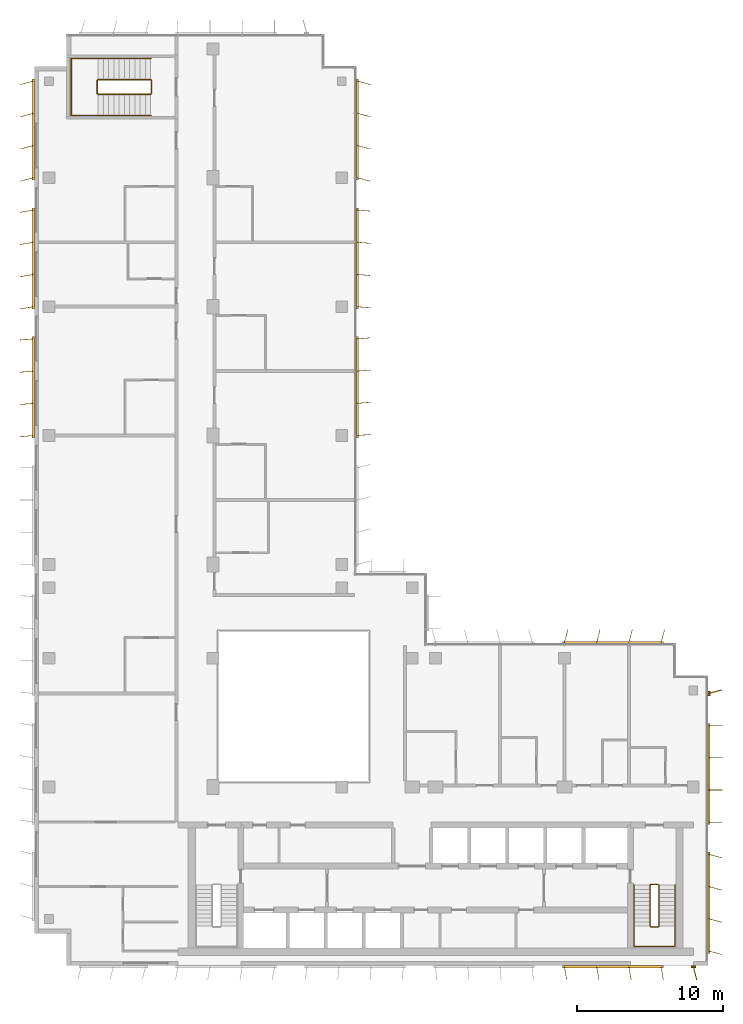
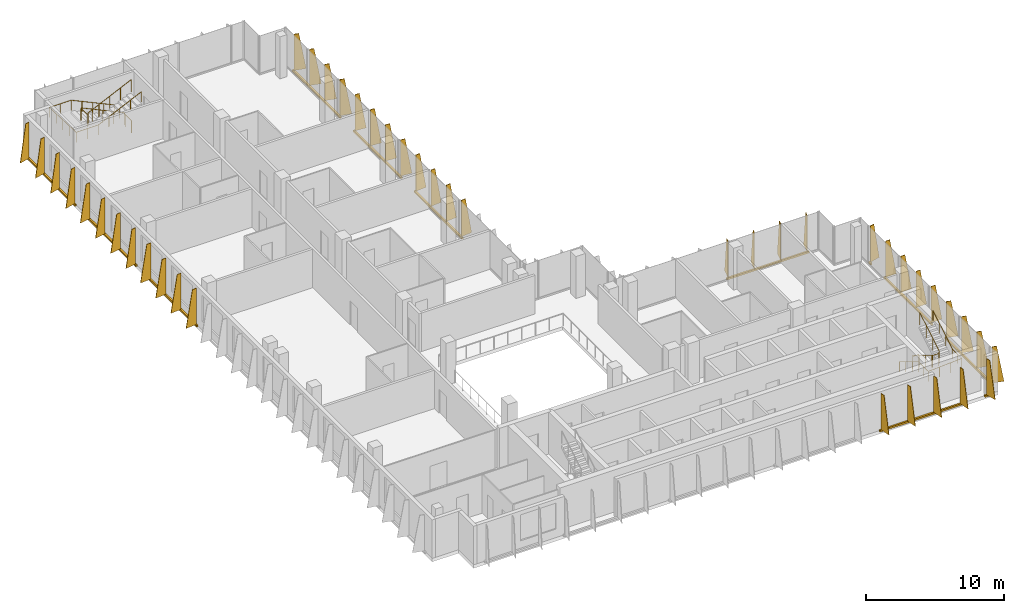
# One storey, part 14 of 15: 12 shading devices, 4 railings.
"""IFC4 building model written with IfcOpenShell, lengths in metres."""

from ifc_helpers import new_model, si_unit, direction, frame, origin, origin_2d, place, context, subcontext, project, spatial, polyline, rectangle, circle, outline, extrude, source, transform, mapped, material, layer, layer_set, type_object, element, save


model = new_model("IFC4")

# Units and contexts
model_context = context("Model", 3, precision=1e-05, world=origin(), true_north=direction((0.0, 1.0)))
body_context = subcontext(model_context, "Body", "Model", "MODEL_VIEW")
ifc_project = project(units=[si_unit("LENGTHUNIT", "METRE"), si_unit("AREAUNIT", "SQUARE_METRE"), si_unit("VOLUMEUNIT", "CUBIC_METRE"), si_unit("PLANEANGLEUNIT", "RADIAN"), si_unit("MASSUNIT", "GRAM", prefix="KILO")], contexts=[model_context])

# Site, building, storey
site_placement = place(None, origin())
site = spatial("IfcSite", under=ifc_project, at=site_placement, CompositionType="ELEMENT")
building_placement = place(site_placement, origin())
building = spatial("IfcBuilding", under=site, at=building_placement, Name="Kemantara Hotel Tower", CompositionType="ELEMENT")
storey_placement = place(building_placement, frame((0.0, 0.0, 290.699951171875)))
storey = spatial("IfcBuildingStorey", under=building, at=storey_placement, Name="L73", CompositionType="ELEMENT", Elevation=290.699951171875)

# Railings
ifc_material_1 = material(Name="Stainless steel balustrade", Category="steel")
railing_type_1 = type_object("IfcRailingType", Name="Stair guard 1100 mm", PredefinedType="GUARDRAIL", material=ifc_material_1)
railing_1_placement = place(storey_placement, frame((42.64990234375, 5.5, 3.699951171875)))
element("IfcRailing", 1, at=railing_1_placement, inside=storey, type_object=railing_type_1, Name="L73 ST2 stair guard 1", PredefinedType="GUARDRAIL", context=body_context, shape_type="SweptSolid", body=[
    extrude(circle(Radius=0.02392578125, at=origin_2d()), frame((0.0, 0.0, 1.076171875), z_axis=(0.0, -0.857275202839, -0.514858452973), x_axis=(1.0, 0.0, 0.0)), (0.0, 0.0, 1.0), 3.26611328125),
    extrude(circle(Radius=0.02392578125, at=origin_2d()), frame((0.0, -2.800048828125, -0.60546875), z_axis=(-0.273006030465, -0.27434429532, -0.922064485248), x_axis=(0.708833529934, -0.705375805398, 0.0)), (0.0, 0.0, 1.0), 0.182373046875),
    extrude(circle(Radius=0.02392578125, at=origin_2d()), frame((-0.0498046875, -2.85009765625, -0.77392578125), z_axis=(-1.0, 0.0, 0.0), x_axis=(0.0, -1.0, 0.0)), (0.0, 0.0, 1.0), 0.5),
    extrude(circle(Radius=0.02392578125, at=origin_2d()), frame((-0.5498046875, -2.85009765625, -0.77392578125), z_axis=(-0.707106781187, 0.707106781187, 0.0), x_axis=(-0.707106781187, -0.707106781187, 0.0)), (0.0, 0.0, 1.0), 0.07080078125),
    extrude(circle(Radius=0.02392578125, at=origin_2d()), frame((-0.599853515625, -2.800048828125, -0.77392578125), z_axis=(0.0, 0.857242210791, -0.514913383045), x_axis=(-1.0, 0.0, 0.0)), (0.0, 0.0, 1.0), 3.266357421875),
    extrude(circle(Radius=0.02392578125, at=origin_2d()), frame((-0.599853515625, 0.0, -2.45556640625), z_axis=(0.274243871929, 0.274243871929, -0.92172696468), x_axis=(-0.707106781187, 0.707106781187, 0.0)), (0.0, 0.0, 1.0), 0.1826171875),
    extrude(circle(Radius=0.02392578125, at=origin_2d()), frame((-0.5498046875, 0.050048828125, -2.6240234375), z_axis=(1.0, 0.0, 0.0), x_axis=(0.0, 1.0, 0.0)), (0.0, 0.0, 1.0), 0.5),
    extrude(circle(Radius=0.02099609375, at=origin_2d()), origin(), (0.0, 0.0, 1.0), 1.052001953125),
    extrude(circle(Radius=0.02099609375, at=origin_2d()), frame((0.0, -0.933349609375, -0.560546875)), (0.0, 0.0, 1.0), 1.052001953125),
    extrude(circle(Radius=0.02099609375, at=origin_2d()), frame((0.0, -1.86669921875, -1.12109375)), (0.0, 0.0, 1.0), 1.052001953125),
    extrude(circle(Radius=0.02099609375, at=origin_2d()), frame((0.0, -2.800048828125, -1.681640625)), (0.0, 0.0, 1.0), 1.052001953125),
    extrude(circle(Radius=0.02099609375, at=origin_2d()), frame((-0.0498046875, -2.85009765625, -1.849853515625)), (0.0, 0.0, 1.0), 1.052001953125),
    extrude(circle(Radius=0.02099609375, at=origin_2d()), frame((-0.5498046875, -2.85009765625, -1.849853515625)), (0.0, 0.0, 1.0), 1.052001953125),
    extrude(circle(Radius=0.02099609375, at=origin_2d()), frame((-0.599853515625, -2.800048828125, -1.849853515625)), (0.0, 0.0, 1.0), 1.052001953125),
    extrude(circle(Radius=0.02099609375, at=origin_2d()), frame((-0.599853515625, -1.86669921875, -2.410400390625)), (0.0, 0.0, 1.0), 1.052001953125),
    extrude(circle(Radius=0.02099609375, at=origin_2d()), frame((-0.599853515625, -0.933349609375, -2.97119140625)), (0.0, 0.0, 1.0), 1.052001953125),
    extrude(circle(Radius=0.02099609375, at=origin_2d()), frame((-0.599853515625, 0.0, -3.53173828125)), (0.0, 0.0, 1.0), 1.052001953125),
    extrude(circle(Radius=0.02099609375, at=origin_2d()), frame((-0.5498046875, 0.050048828125, -3.699951171875)), (0.0, 0.0, 1.0), 1.052001953125),
    extrude(circle(Radius=0.02099609375, at=origin_2d()), frame((-0.0498046875, 0.050048828125, -3.699951171875)), (0.0, 0.0, 1.0), 1.052001953125),
])
railing_2_placement = place(storey_placement, frame((7.949951171875, 59.5, 3.699951171875)))
element("IfcRailing", 2, at=railing_2_placement, inside=storey, type_object=railing_type_1, Name="L73 ST4 stair guard 1", PredefinedType="GUARDRAIL", context=body_context, shape_type="SweptSolid", body=[
    extrude(circle(Radius=0.02392578125, at=origin_2d()), frame((0.0, 0.0, 1.076171875), z_axis=(-0.906018243939, 0.0, -0.423238634402), x_axis=(0.0, -1.0, 0.0)), (0.0, 0.0, 1.0), 3.973388671875),
    extrude(circle(Radius=0.02392578125, at=origin_2d()), frame((-3.599853515625, 0.0, -0.60546875), z_axis=(-0.274243871929, 0.274243871929, -0.92172696468), x_axis=(-0.707106781187, -0.707106781187, 0.0)), (0.0, 0.0, 1.0), 0.1826171875),
    extrude(circle(Radius=0.02392578125, at=origin_2d()), frame((-3.64990234375, 0.050048828125, -0.77392578125), z_axis=(0.0, 1.0, 0.0), x_axis=(-1.0, 0.0, 0.0)), (0.0, 0.0, 1.0), 0.89990234375),
    extrude(circle(Radius=0.02392578125, at=origin_2d()), frame((-3.64990234375, 0.949951171875, -0.77392578125), z_axis=(0.707106781187, 0.707106781187, 0.0), x_axis=(-0.707106781187, 0.707106781187, 0.0)), (0.0, 0.0, 1.0), 0.07080078125),
    extrude(circle(Radius=0.02392578125, at=origin_2d()), frame((-3.599853515625, 1.0, -0.77392578125), z_axis=(0.905994681025, 0.0, -0.423289071386), x_axis=(0.0, 1.0, 0.0)), (0.0, 0.0, 1.0), 3.973388671875),
    extrude(circle(Radius=0.02392578125, at=origin_2d()), frame((0.0, 1.0, -2.45556640625), z_axis=(0.274243871929, -0.274243871929, -0.92172696468), x_axis=(0.707106781187, 0.707106781187, 0.0)), (0.0, 0.0, 1.0), 0.1826171875),
    extrude(circle(Radius=0.02392578125, at=origin_2d()), frame((0.050048828125, 0.949951171875, -2.6240234375), z_axis=(0.0, -1.0, 0.0), x_axis=(1.0, 0.0, 0.0)), (0.0, 0.0, 1.0), 0.89990234375),
    extrude(circle(Radius=0.02099609375, at=origin_2d()), origin(), (0.0, 0.0, 1.0), 1.052001953125),
    extrude(circle(Radius=0.02099609375, at=origin_2d()), frame((-0.89990234375, 0.0, -0.42041015625)), (0.0, 0.0, 1.0), 1.052001953125),
    extrude(circle(Radius=0.02099609375, at=origin_2d()), frame((-1.7998046875, 0.0, -0.8408203125)), (0.0, 0.0, 1.0), 1.052001953125),
    extrude(circle(Radius=0.02099609375, at=origin_2d()), frame((-2.699951171875, 0.0, -1.26123046875)), (0.0, 0.0, 1.0), 1.052001953125),
    extrude(circle(Radius=0.02099609375, at=origin_2d()), frame((-3.599853515625, 0.0, -1.681640625)), (0.0, 0.0, 1.0), 1.052001953125),
    extrude(circle(Radius=0.02099609375, at=origin_2d()), frame((-3.64990234375, 0.050048828125, -1.849853515625)), (0.0, 0.0, 1.0), 1.052001953125),
    extrude(circle(Radius=0.02099609375, at=origin_2d()), frame((-3.64990234375, 0.949951171875, -1.849853515625)), (0.0, 0.0, 1.0), 1.052001953125),
    extrude(circle(Radius=0.02099609375, at=origin_2d()), frame((-3.599853515625, 1.0, -1.849853515625)), (0.0, 0.0, 1.0), 1.052001953125),
    extrude(circle(Radius=0.02099609375, at=origin_2d()), frame((-2.699951171875, 1.0, -2.270263671875)), (0.0, 0.0, 1.0), 1.052001953125),
    extrude(circle(Radius=0.02099609375, at=origin_2d()), frame((-1.7998046875, 1.0, -2.69091796875)), (0.0, 0.0, 1.0), 1.052001953125),
    extrude(circle(Radius=0.02099609375, at=origin_2d()), frame((-0.89990234375, 1.0, -3.111328125)), (0.0, 0.0, 1.0), 1.052001953125),
    extrude(circle(Radius=0.02099609375, at=origin_2d()), frame((0.0, 1.0, -3.53173828125)), (0.0, 0.0, 1.0), 1.052001953125),
    extrude(circle(Radius=0.02099609375, at=origin_2d()), frame((0.050048828125, 0.949951171875, -3.699951171875)), (0.0, 0.0, 1.0), 1.052001953125),
    extrude(circle(Radius=0.02099609375, at=origin_2d()), frame((0.050048828125, 0.050048828125, -3.699951171875)), (0.0, 0.0, 1.0), 1.052001953125),
])
railing_type_2 = type_object("IfcRailingType", Name="Stair handrail 900 mm", PredefinedType="HANDRAIL", material=ifc_material_1)
railing_3_placement = place(storey_placement, frame((40.949951171875, 5.5, 0.168212890625)))
element("IfcRailing", 3, at=railing_3_placement, inside=storey, type_object=railing_type_2, Name="L73 ST2 stair handrail 1", PredefinedType="HANDRAIL", context=body_context, shape_type="SweptSolid", body=[
    extrude(circle(Radius=0.02392578125, at=origin_2d()), frame((0.0, 0.0, 0.8759765625), z_axis=(0.0, -0.857242210791, 0.514913383045), x_axis=(1.0, 0.0, 0.0)), (0.0, 0.0, 1.0), 3.266357421875),
    extrude(circle(Radius=0.02392578125, at=origin_2d()), frame((0.0, -2.800048828125, 2.5576171875), z_axis=(0.0, -1.0, 0.0), x_axis=(1.0, 0.0, 0.0)), (0.0, 0.0, 1.0), 1.3798828125),
    extrude(circle(Radius=0.02392578125, at=origin_2d()), frame((0.0, -4.179931640625, 2.5576171875), z_axis=(0.998200367801, 0.0, 0.059966871865), x_axis=(0.0, 1.0, 0.0)), (0.0, 0.0, 1.0), 2.80517578125),
    extrude(circle(Radius=0.02392578125, at=origin_2d()), frame((2.800048828125, -4.179931640625, 2.72607421875), z_axis=(0.0, 1.0, 0.0), x_axis=(-1.0, 0.0, 0.0)), (0.0, 0.0, 1.0), 1.3798828125),
    extrude(circle(Radius=0.02392578125, at=origin_2d()), frame((2.800048828125, -2.800048828125, 2.72607421875), z_axis=(0.0, 0.857275202839, 0.514858452973), x_axis=(-1.0, 0.0, 0.0)), (0.0, 0.0, 1.0), 3.26611328125),
    extrude(circle(Radius=0.02099609375, at=origin_2d()), origin(), (0.0, 0.0, 1.0), 0.851806640625),
    extrude(circle(Radius=0.02099609375, at=origin_2d()), frame((0.0, -0.933349609375, 0.560546875)), (0.0, 0.0, 1.0), 0.851806640625),
    extrude(circle(Radius=0.02099609375, at=origin_2d()), frame((0.0, -1.86669921875, 1.121337890625)), (0.0, 0.0, 1.0), 0.851806640625),
    extrude(circle(Radius=0.02099609375, at=origin_2d()), frame((0.0, -2.800048828125, 1.681884765625)), (0.0, 0.0, 1.0), 0.851806640625),
    extrude(circle(Radius=0.02099609375, at=origin_2d()), frame((0.0, -3.489990234375, 1.681884765625)), (0.0, 0.0, 1.0), 0.851806640625),
    extrude(circle(Radius=0.02099609375, at=origin_2d()), frame((0.0, -4.179931640625, 1.681884765625)), (0.0, 0.0, 1.0), 0.851806640625),
    extrude(circle(Radius=0.02099609375, at=origin_2d()), frame((0.933349609375, -4.179931640625, 1.738037109375)), (0.0, 0.0, 1.0), 0.851806640625),
    extrude(circle(Radius=0.02099609375, at=origin_2d()), frame((1.86669921875, -4.179931640625, 1.7939453125)), (0.0, 0.0, 1.0), 0.851806640625),
    extrude(circle(Radius=0.02099609375, at=origin_2d()), frame((2.800048828125, -4.179931640625, 1.85009765625)), (0.0, 0.0, 1.0), 0.851806640625),
    extrude(circle(Radius=0.02099609375, at=origin_2d()), frame((2.800048828125, -3.489990234375, 1.85009765625)), (0.0, 0.0, 1.0), 0.851806640625),
    extrude(circle(Radius=0.02099609375, at=origin_2d()), frame((2.800048828125, -2.800048828125, 1.85009765625)), (0.0, 0.0, 1.0), 0.851806640625),
    extrude(circle(Radius=0.02099609375, at=origin_2d()), frame((2.800048828125, -1.86669921875, 2.41064453125)), (0.0, 0.0, 1.0), 0.851806640625),
    extrude(circle(Radius=0.02099609375, at=origin_2d()), frame((2.800048828125, -0.933349609375, 2.97119140625)), (0.0, 0.0, 1.0), 0.851806640625),
    extrude(circle(Radius=0.02099609375, at=origin_2d()), frame((2.800048828125, 0.0, 3.53173828125)), (0.0, 0.0, 1.0), 0.851806640625),
])
railing_4_placement = place(storey_placement, frame((7.949951171875, 61.949951171875, 0.168212890625)))
element("IfcRailing", 4, at=railing_4_placement, inside=storey, type_object=railing_type_2, Name="L73 ST4 stair handrail 1", PredefinedType="HANDRAIL", context=body_context, shape_type="SweptSolid", body=[
    extrude(circle(Radius=0.02392578125, at=origin_2d()), frame((0.0, 0.0, 0.8759765625), z_axis=(-0.905994681025, 0.0, 0.423289071386), x_axis=(0.0, -1.0, 0.0)), (0.0, 0.0, 1.0), 3.973388671875),
    extrude(circle(Radius=0.02392578125, at=origin_2d()), frame((-3.599853515625, 0.0, 2.5576171875), z_axis=(-1.0, 0.0, 0.0), x_axis=(0.0, -1.0, 0.0)), (0.0, 0.0, 1.0), 1.830078125),
    extrude(circle(Radius=0.02392578125, at=origin_2d()), frame((-5.429931640625, 0.0, 2.5576171875), z_axis=(0.0, -0.999071085748, 0.043092523981), x_axis=(1.0, 0.0, 0.0)), (0.0, 0.0, 1.0), 3.903564453125),
    extrude(circle(Radius=0.02392578125, at=origin_2d()), frame((-5.429931640625, -3.89990234375, 2.72607421875), z_axis=(1.0, 0.0, 0.0), x_axis=(0.0, 1.0, 0.0)), (0.0, 0.0, 1.0), 1.830078125),
    extrude(circle(Radius=0.02392578125, at=origin_2d()), frame((-3.599853515625, -3.89990234375, 2.72607421875), z_axis=(0.906018243939, 0.0, 0.423238634402), x_axis=(0.0, 1.0, 0.0)), (0.0, 0.0, 1.0), 3.973388671875),
    extrude(circle(Radius=0.02099609375, at=origin_2d()), origin(), (0.0, 0.0, 1.0), 0.851806640625),
    extrude(circle(Radius=0.02099609375, at=origin_2d()), frame((-0.89990234375, 0.0, 0.42041015625)), (0.0, 0.0, 1.0), 0.851806640625),
    extrude(circle(Radius=0.02099609375, at=origin_2d()), frame((-1.7998046875, 0.0, 0.8408203125)), (0.0, 0.0, 1.0), 0.851806640625),
    extrude(circle(Radius=0.02099609375, at=origin_2d()), frame((-2.699951171875, 0.0, 1.261474609375)), (0.0, 0.0, 1.0), 0.851806640625),
    extrude(circle(Radius=0.02099609375, at=origin_2d()), frame((-3.599853515625, 0.0, 1.681884765625)), (0.0, 0.0, 1.0), 0.851806640625),
    extrude(circle(Radius=0.02099609375, at=origin_2d()), frame((-4.514892578125, 0.0, 1.681884765625)), (0.0, 0.0, 1.0), 0.851806640625),
    extrude(circle(Radius=0.02099609375, at=origin_2d()), frame((-5.429931640625, 0.0, 1.681884765625)), (0.0, 0.0, 1.0), 0.851806640625),
    extrude(circle(Radius=0.02099609375, at=origin_2d()), frame((-5.429931640625, -0.97509765625, 1.723876953125)), (0.0, 0.0, 1.0), 0.851806640625),
    extrude(circle(Radius=0.02099609375, at=origin_2d()), frame((-5.429931640625, -1.949951171875, 1.76611328125)), (0.0, 0.0, 1.0), 0.851806640625),
    extrude(circle(Radius=0.02099609375, at=origin_2d()), frame((-5.429931640625, -2.9248046875, 1.80810546875)), (0.0, 0.0, 1.0), 0.851806640625),
    extrude(circle(Radius=0.02099609375, at=origin_2d()), frame((-5.429931640625, -3.89990234375, 1.85009765625)), (0.0, 0.0, 1.0), 0.851806640625),
    extrude(circle(Radius=0.02099609375, at=origin_2d()), frame((-4.514892578125, -3.89990234375, 1.85009765625)), (0.0, 0.0, 1.0), 0.851806640625),
    extrude(circle(Radius=0.02099609375, at=origin_2d()), frame((-3.599853515625, -3.89990234375, 1.85009765625)), (0.0, 0.0, 1.0), 0.851806640625),
    extrude(circle(Radius=0.02099609375, at=origin_2d()), frame((-2.699951171875, -3.89990234375, 2.2705078125)), (0.0, 0.0, 1.0), 0.851806640625),
    extrude(circle(Radius=0.02099609375, at=origin_2d()), frame((-1.7998046875, -3.89990234375, 2.69091796875)), (0.0, 0.0, 1.0), 0.851806640625),
    extrude(circle(Radius=0.02099609375, at=origin_2d()), frame((-0.89990234375, -3.89990234375, 3.111328125)), (0.0, 0.0, 1.0), 0.851806640625),
    extrude(circle(Radius=0.02099609375, at=origin_2d()), frame((0.0, -3.89990234375, 3.53173828125)), (0.0, 0.0, 1.0), 0.851806640625),
])

# Shading devices
ifc_material_2 = material(Name="Perforated aluminium plate 4 mm bronze anodised", Category="aluminium")
ifc_layer_1 = layer(ifc_material_2, 0.0400390625)
ifc_layer_set_1 = layer_set([ifc_layer_1], Name="Perforated aluminium plate 4 mm bronze anodised")
shading_device_type_1 = type_object("IfcShadingDeviceType", Name="SCREEN FIN CASSETTE, 4 BLADES AT -5.0 DEG, 3200 HIGH", PredefinedType="USERDEFINED", material=ifc_layer_set_1)
shared_shape_1 = source(origin(), body_context, "Body", "SweptSolid", [
    extrude(rectangle(XDim=6.89990234375, YDim=0.14990234375, at=origin_2d()), frame((3.300048828125, -0.074951171875, -0.14990234375), z_axis=(0.0, 0.0, 1.0), x_axis=(1.0, 0.0, 0.0)), (0.0, 0.0, 1.0), 0.14990234375),
    extrude(outline(polyline([(0.0, 0.0), (0.89990234375, 0.0), (0.35009765625, 3.199951171875), (0.0, 3.199951171875), (0.0, 0.0)])), frame((0.02001953125, -0.07666015625, 0.0), z_axis=(-0.996376129781, 0.085056498884, 0.0), x_axis=(-0.085056498884, -0.996376129781, 0.0)), (0.0, 0.0, 1.0), 0.040283203125),
    extrude(outline(polyline([(0.0, 0.0), (0.89990234375, 0.0), (0.35009765625, 3.199951171875), (0.0, 3.199951171875), (0.0, 0.0)])), frame((2.219970703125, -0.07666015625, 0.0), z_axis=(-0.996331773833, 0.085574508182, 0.0), x_axis=(-0.085574508182, -0.996331773833, 0.0)), (0.0, 0.0, 1.0), 0.0400390625),
    extrude(outline(polyline([(0.0, 0.0), (0.89990234375, 0.0), (0.35009765625, 3.199951171875), (0.0, 3.199951171875), (0.0, 0.0)])), frame((4.419921875, -0.07666015625, 0.0), z_axis=(-0.996331773833, 0.085574508182, 0.0), x_axis=(-0.085574508182, -0.996331773833, 0.0)), (0.0, 0.0, 1.0), 0.0400390625),
    extrude(outline(polyline([(0.0, 0.0), (0.89990234375, 0.0), (0.35009765625, 3.199951171875), (0.0, 3.199951171875), (0.0, 0.0)])), frame((6.619873046875, -0.07666015625, 0.0), z_axis=(-0.996331773833, 0.085574508182, 0.0), x_axis=(-0.085574508182, -0.996331773833, 0.0)), (0.0, 0.0, 1.0), 0.0400390625),
])
shading_device_1_placement = place(storey_placement, frame((22.0, 45.0, 0.10009765625), z_axis=(0.0, 0.0, 1.0), x_axis=(0.0, 1.0, 0.0)))
element("IfcShadingDevice", 5, at=shading_device_1_placement, inside=storey, type_object=shading_device_type_1, Name="SCREEN FIN CASSETTE L73 T4-R15-3", ObjectType="SCREEN FIN", PredefinedType="USERDEFINED", context=body_context, shape_type="MappedRepresentation", body=[
    mapped(shared_shape_1, transform((0.0, 0.0, 0.0))),
])
ifc_layer_2 = layer(ifc_material_2, 0.0400390625)
ifc_layer_set_2 = layer_set([ifc_layer_2], Name="Perforated aluminium plate 4 mm bronze anodised")
shading_device_type_2 = type_object("IfcShadingDeviceType", Name="SCREEN FIN CASSETTE, 4 BLADES AT +0.0 DEG, 3200 HIGH", PredefinedType="USERDEFINED", material=ifc_layer_set_2)
shared_shape_2 = source(origin(), body_context, "Body", "SweptSolid", [
    extrude(rectangle(XDim=6.89990234375, YDim=0.14990234375, at=origin_2d()), frame((3.300048828125, -0.074951171875, -0.14990234375), z_axis=(0.0, 0.0, 1.0), x_axis=(1.0, 0.0, 0.0)), (0.0, 0.0, 1.0), 0.14990234375),
    extrude(outline(polyline([(0.0, 0.0), (0.89990234375, 0.0), (0.35009765625, 3.199951171875), (0.0, 3.199951171875), (0.0, 0.0)])), frame((0.02001953125, -0.074951171875, 0.0), z_axis=(-1.0, 0.0, 0.0), x_axis=(0.0, -1.0, 0.0)), (0.0, 0.0, 1.0), 0.0400390625),
    extrude(outline(polyline([(0.0, 0.0), (0.89990234375, 0.0), (0.35009765625, 3.199951171875), (0.0, 3.199951171875), (0.0, 0.0)])), frame((2.219970703125, -0.074951171875, 0.0), z_axis=(-1.0, 0.0, 0.0), x_axis=(0.0, -1.0, 0.0)), (0.0, 0.0, 1.0), 0.0400390625),
    extrude(outline(polyline([(0.0, 0.0), (0.89990234375, 0.0), (0.35009765625, 3.199951171875), (0.0, 3.199951171875), (0.0, 0.0)])), frame((4.419921875, -0.074951171875, 0.0), z_axis=(-1.0, 0.0, 0.0), x_axis=(0.0, -1.0, 0.0)), (0.0, 0.0, 1.0), 0.0400390625),
    extrude(outline(polyline([(0.0, 0.0), (0.89990234375, 0.0), (0.35009765625, 3.199951171875), (0.0, 3.199951171875), (0.0, 0.0)])), frame((6.6201171875, -0.074951171875, 0.0), z_axis=(-1.0, 0.0, 0.0), x_axis=(0.0, -1.0, 0.0)), (0.0, 0.0, 1.0), 0.0400390625),
])
shading_device_2_placement = place(storey_placement, frame((46.0, 9.800048828125, 0.10009765625), z_axis=(0.0, 0.0, 1.0), x_axis=(0.0, 1.0, 0.0)))
element("IfcShadingDevice", 6, at=shading_device_2_placement, inside=storey, type_object=shading_device_type_2, Name="SCREEN FIN CASSETTE L73 T4-R09-2", ObjectType="SCREEN FIN", PredefinedType="USERDEFINED", context=body_context, shape_type="MappedRepresentation", body=[
    mapped(shared_shape_2, transform((0.0, 0.0, 0.0))),
])
ifc_layer_3 = layer(ifc_material_2, 0.0400390625)
ifc_layer_set_3 = layer_set([ifc_layer_3], Name="Perforated aluminium plate 4 mm bronze anodised")
shading_device_type_3 = type_object("IfcShadingDeviceType", Name="SCREEN FIN CASSETTE, 4 BLADES AT +5.0 DEG, 3200 HIGH", PredefinedType="USERDEFINED", material=ifc_layer_set_3)
shared_shape_3 = source(origin(), body_context, "Body", "SweptSolid", [
    extrude(rectangle(XDim=6.89990234375, YDim=0.14990234375, at=origin_2d()), frame((3.300048828125, -0.074951171875, -0.14990234375), z_axis=(0.0, 0.0, 1.0), x_axis=(1.0, 0.0, 0.0)), (0.0, 0.0, 1.0), 0.14990234375),
    extrude(outline(polyline([(0.0, 0.0), (0.89990234375, 0.0), (0.35009765625, 3.199951171875), (0.0, 3.199951171875), (0.0, 0.0)])), frame((0.02001953125, -0.0732421875, 0.0), z_axis=(-0.996376129781, -0.085056498884, 0.0), x_axis=(0.085056498884, -0.996376129781, 0.0)), (0.0, 0.0, 1.0), 0.040283203125),
    extrude(outline(polyline([(0.0, 0.0), (0.89990234375, 0.0), (0.35009765625, 3.199951171875), (0.0, 3.199951171875), (0.0, 0.0)])), frame((2.219970703125, -0.0732421875, 0.0), z_axis=(-0.996331773833, -0.085574508182, 0.0), x_axis=(0.085574508182, -0.996331773833, 0.0)), (0.0, 0.0, 1.0), 0.0400390625),
    extrude(outline(polyline([(0.0, 0.0), (0.89990234375, 0.0), (0.35009765625, 3.199951171875), (0.0, 3.199951171875), (0.0, 0.0)])), frame((4.419921875, -0.0732421875, 0.0), z_axis=(-0.996331773833, -0.085574508182, 0.0), x_axis=(0.085574508182, -0.996331773833, 0.0)), (0.0, 0.0, 1.0), 0.0400390625),
    extrude(outline(polyline([(0.0, 0.0), (0.89990234375, 0.0), (0.35009765625, 3.199951171875), (0.0, 3.199951171875), (0.0, 0.0)])), frame((6.619873046875, -0.0732421875, 0.0), z_axis=(-0.996331773833, -0.085574508182, 0.0), x_axis=(0.085574508182, -0.996331773833, 0.0)), (0.0, 0.0, 1.0), 0.0400390625),
])
for number, where, z_axis, x_axis, name in (
    (7, (0.0, 42.800048828125, 0.10009765625), (0.0, 0.0, 1.0), (0.0, -1.0, 0.0), "SCREEN FIN CASSETTE L73 T4-R05-3"),
    (8, (22.0, 36.199951171875, 0.10009765625), (0.0, 0.0, 1.0), (0.0, 1.0, 0.0), "SCREEN FIN CASSETTE L73 T4-R15-2"),
):
    element("IfcShadingDevice", number, at=place(storey_placement, frame(where, z_axis=z_axis, x_axis=x_axis)), inside=storey, type_object=shading_device_type_3, Name=name, ObjectType="SCREEN FIN", PredefinedType="USERDEFINED", context=body_context, shape_type="MappedRepresentation", body=[
        mapped(shared_shape_3, transform((0.0, 0.0, 0.0))),
    ])
ifc_layer_4 = layer(ifc_material_2, 0.0400390625)
ifc_layer_set_4 = layer_set([ifc_layer_4], Name="Perforated aluminium plate 4 mm bronze anodised")
shading_device_type_4 = type_object("IfcShadingDeviceType", Name="SCREEN FIN CASSETTE, 4 BLADES AT +10.0 DEG, 3200 HIGH", PredefinedType="USERDEFINED", material=ifc_layer_set_4)
shared_shape_4 = source(origin(), body_context, "Body", "SweptSolid", [
    extrude(rectangle(XDim=6.89990234375, YDim=0.14990234375, at=origin_2d()), frame((3.300048828125, -0.074951171875, -0.14990234375), z_axis=(0.0, 0.0, 1.0), x_axis=(1.0, 0.0, 0.0)), (0.0, 0.0, 1.0), 0.14990234375),
    extrude(outline(polyline([(0.0, 0.0), (0.89990234375, 0.0), (0.35009765625, 3.199951171875), (0.0, 3.199951171875), (0.0, 0.0)])), frame((0.019775390625, -0.071533203125, 0.0), z_axis=(-0.985389793052, -0.170314285219, 0.0), x_axis=(0.170314285219, -0.985389793052, 0.0)), (0.0, 0.0, 1.0), 0.0400390625),
    extrude(outline(polyline([(0.0, 0.0), (0.89990234375, 0.0), (0.35009765625, 3.199951171875), (0.0, 3.199951171875), (0.0, 0.0)])), frame((2.2197265625, -0.071533203125, 0.0), z_axis=(-0.98521175482, -0.171341174751, 0.0), x_axis=(0.171341174751, -0.98521175482, 0.0)), (0.0, 0.0, 1.0), 0.039794921875),
    extrude(outline(polyline([(0.0, 0.0), (0.89990234375, 0.0), (0.35009765625, 3.199951171875), (0.0, 3.199951171875), (0.0, 0.0)])), frame((4.419677734375, -0.071533203125, 0.0), z_axis=(-0.98521175482, -0.171341174751, 0.0), x_axis=(0.171341174751, -0.98521175482, 0.0)), (0.0, 0.0, 1.0), 0.039794921875),
    extrude(outline(polyline([(0.0, 0.0), (0.89990234375, 0.0), (0.35009765625, 3.199951171875), (0.0, 3.199951171875), (0.0, 0.0)])), frame((6.61962890625, -0.071533203125, 0.0), z_axis=(-0.98521175482, -0.171341174751, 0.0), x_axis=(0.171341174751, -0.98521175482, 0.0)), (0.0, 0.0, 1.0), 0.039794921875),
])
for number, where, z_axis, x_axis, name in (
    (9, (0.0, 51.60009765625, 0.10009765625), (0.0, 0.0, 1.0), (0.0, -1.0, 0.0), "SCREEN FIN CASSETTE L73 T4-R05-2"),
    (10, (36.199951171875, 0.0, 0.10009765625), (0.0, 0.0, 1.0), (1.0, 0.0, 0.0), "SCREEN FIN CASSETTE L73 T4-R08-5"),
):
    element("IfcShadingDevice", number, at=place(storey_placement, frame(where, z_axis=z_axis, x_axis=x_axis)), inside=storey, type_object=shading_device_type_4, Name=name, ObjectType="SCREEN FIN", PredefinedType="USERDEFINED", context=body_context, shape_type="MappedRepresentation", body=[
        mapped(shared_shape_4, transform((0.0, 0.0, 0.0))),
    ])
ifc_layer_5 = layer(ifc_material_2, 0.0400390625)
ifc_layer_set_5 = layer_set([ifc_layer_5], Name="Perforated aluminium plate 4 mm bronze anodised")
shading_device_type_5 = type_object("IfcShadingDeviceType", Name="SCREEN FIN CASSETTE, 4 BLADES AT +15.0 DEG, 3200 HIGH", PredefinedType="USERDEFINED", material=ifc_layer_set_5)
shared_shape_5 = source(origin(), body_context, "Body", "SweptSolid", [
    extrude(rectangle(XDim=6.89990234375, YDim=0.14990234375, at=origin_2d()), frame((3.300048828125, -0.074951171875, -0.14990234375), z_axis=(0.0, 0.0, 1.0), x_axis=(1.0, 0.0, 0.0)), (0.0, 0.0, 1.0), 0.14990234375),
    extrude(outline(polyline([(0.0, 0.0), (0.89990234375, 0.0), (0.35009765625, 3.199951171875), (0.0, 3.199951171875), (0.0, 0.0)])), frame((0.019287109375, -0.06982421875, 0.0), z_axis=(-0.966437683387, -0.256901156343, 0.0), x_axis=(0.256901156343, -0.966437683387, 0.0)), (0.0, 0.0, 1.0), 0.039794921875),
    extrude(outline(polyline([(0.0, 0.0), (0.89990234375, 0.0), (0.35009765625, 3.199951171875), (0.0, 3.199951171875), (0.0, 0.0)])), frame((2.21923828125, -0.06982421875, 0.0), z_axis=(-0.966437683387, -0.256901156343, 0.0), x_axis=(0.256901156343, -0.966437683387, 0.0)), (0.0, 0.0, 1.0), 0.039794921875),
    extrude(outline(polyline([(0.0, 0.0), (0.89990234375, 0.0), (0.35009765625, 3.199951171875), (0.0, 3.199951171875), (0.0, 0.0)])), frame((4.41943359375, -0.06982421875, 0.0), z_axis=(-0.966837822169, -0.255391122837, 0.0), x_axis=(0.255391122837, -0.966837822169, 0.0)), (0.0, 0.0, 1.0), 0.0400390625),
    extrude(outline(polyline([(0.0, 0.0), (0.89990234375, 0.0), (0.35009765625, 3.199951171875), (0.0, 3.199951171875), (0.0, 0.0)])), frame((6.619384765625, -0.06982421875, 0.0), z_axis=(-0.966837822169, -0.255391122837, 0.0), x_axis=(0.255391122837, -0.966837822169, 0.0)), (0.0, 0.0, 1.0), 0.0400390625),
])
shading_device_3_placement = place(storey_placement, frame((0.0, 60.39990234375, 0.10009765625), z_axis=(0.0, 0.0, 1.0), x_axis=(0.0, -1.0, 0.0)))
element("IfcShadingDevice", 11, at=shading_device_3_placement, inside=storey, type_object=shading_device_type_5, Name="SCREEN FIN CASSETTE L73 T4-R05-1", ObjectType="SCREEN FIN", PredefinedType="USERDEFINED", context=body_context, shape_type="MappedRepresentation", body=[
    mapped(shared_shape_5, transform((0.0, 0.0, 0.0))),
])
ifc_layer_6 = layer(ifc_material_2, 0.0400390625)
ifc_layer_set_6 = layer_set([ifc_layer_6], Name="Perforated aluminium plate 4 mm bronze anodised")
shading_device_type_6 = type_object("IfcShadingDeviceType", Name="SCREEN FIN CASSETTE, 4 BLADES AT -15.0 DEG, 3200 HIGH", PredefinedType="USERDEFINED", material=ifc_layer_set_6)
shared_shape_6 = source(origin(), body_context, "Body", "SweptSolid", [
    extrude(rectangle(XDim=6.89990234375, YDim=0.14990234375, at=origin_2d()), frame((3.300048828125, -0.074951171875, -0.14990234375), z_axis=(0.0, 0.0, 1.0), x_axis=(1.0, 0.0, 0.0)), (0.0, 0.0, 1.0), 0.14990234375),
    extrude(outline(polyline([(0.0, 0.0), (0.89990234375, 0.0), (0.35009765625, 3.199951171875), (0.0, 3.199951171875), (0.0, 0.0)])), frame((0.019287109375, -0.080078125, 0.0), z_axis=(-0.966437683387, 0.256901156343, 0.0), x_axis=(-0.256901156343, -0.966437683387, 0.0)), (0.0, 0.0, 1.0), 0.039794921875),
    extrude(outline(polyline([(0.0, 0.0), (0.89990234375, 0.0), (0.35009765625, 3.199951171875), (0.0, 3.199951171875), (0.0, 0.0)])), frame((2.21923828125, -0.080078125, 0.0), z_axis=(-0.966437683387, 0.256901156343, 0.0), x_axis=(-0.256901156343, -0.966437683387, 0.0)), (0.0, 0.0, 1.0), 0.039794921875),
    extrude(outline(polyline([(0.0, 0.0), (0.89990234375, 0.0), (0.35009765625, 3.199951171875), (0.0, 3.199951171875), (0.0, 0.0)])), frame((4.41943359375, -0.080078125, 0.0), z_axis=(-0.966837822169, 0.255391122837, 0.0), x_axis=(-0.255391122837, -0.966837822169, 0.0)), (0.0, 0.0, 1.0), 0.0400390625),
    extrude(outline(polyline([(0.0, 0.0), (0.89990234375, 0.0), (0.35009765625, 3.199951171875), (0.0, 3.199951171875), (0.0, 0.0)])), frame((6.619384765625, -0.080078125, 0.0), z_axis=(-0.966837822169, 0.255391122837, 0.0), x_axis=(-0.255391122837, -0.966837822169, 0.0)), (0.0, 0.0, 1.0), 0.0400390625),
])
for number, where, z_axis, x_axis, name in (
    (12, (46.0, 1.0, 0.10009765625), (0.0, 0.0, 1.0), (0.0, 1.0, 0.0), "SCREEN FIN CASSETTE L73 T4-R09-1"),
    (13, (42.800048828125, 22.0, 0.10009765625), (0.0, 0.0, 1.0), (-1.0, 0.0, 0.0), "SCREEN FIN CASSETTE L73 T4-R12-1"),
    (14, (22.0, 53.800048828125, 0.10009765625), (0.0, 0.0, 1.0), (0.0, 1.0, 0.0), "SCREEN FIN CASSETTE L73 T4-R15-4"),
):
    element("IfcShadingDevice", number, at=place(storey_placement, frame(where, z_axis=z_axis, x_axis=x_axis)), inside=storey, type_object=shading_device_type_6, Name=name, ObjectType="SCREEN FIN", PredefinedType="USERDEFINED", context=body_context, shape_type="MappedRepresentation", body=[
        mapped(shared_shape_6, transform((0.0, 0.0, 0.0))),
    ])
ifc_layer_7 = layer(ifc_material_2, 0.0400390625)
ifc_layer_set_7 = layer_set([ifc_layer_7], Name="Perforated aluminium plate 4 mm bronze anodised")
shading_device_type_7 = type_object("IfcShadingDeviceType", Name="SCREEN FIN CASSETTE, 1 BLADE AT +15.0 DEG, 3200 HIGH", PredefinedType="USERDEFINED", material=ifc_layer_set_7)
shared_shape_7 = source(origin(), body_context, "Body", "SweptSolid", [
    extrude(rectangle(XDim=0.300048828125, YDim=0.14990234375, at=origin_2d()), frame((0.0, -0.074951171875, -0.14990234375), z_axis=(0.0, 0.0, 1.0), x_axis=(1.0, 0.0, 0.0)), (0.0, 0.0, 1.0), 0.14990234375),
    extrude(outline(polyline([(0.0, 0.0), (0.89990234375, 0.0), (0.35009765625, 3.199951171875), (0.0, 3.199951171875), (0.0, 0.0)])), frame((0.019287109375, -0.06982421875, 0.0), z_axis=(-0.966437683387, -0.256901156343, 0.0), x_axis=(0.256901156343, -0.966437683387, 0.0)), (0.0, 0.0, 1.0), 0.039794921875),
])
for number, where, z_axis, x_axis, name in (
    (15, (45.0, 0.0, 0.10009765625), (0.0, 0.0, 1.0), (1.0, 0.0, 0.0), "SCREEN FIN CASSETTE L73 T4-R08-6"),
    (16, (46.0, 18.60009765625, 0.10009765625), (0.0, 0.0, 1.0), (0.0, 1.0, 0.0), "SCREEN FIN CASSETTE L73 T4-R09-3"),
):
    element("IfcShadingDevice", number, at=place(storey_placement, frame(where, z_axis=z_axis, x_axis=x_axis)), inside=storey, type_object=shading_device_type_7, Name=name, ObjectType="SCREEN FIN", PredefinedType="USERDEFINED", context=body_context, shape_type="MappedRepresentation", body=[
        mapped(shared_shape_7, transform((0.0, 0.0, 0.0))),
    ])

save(model, "model.ifc")
